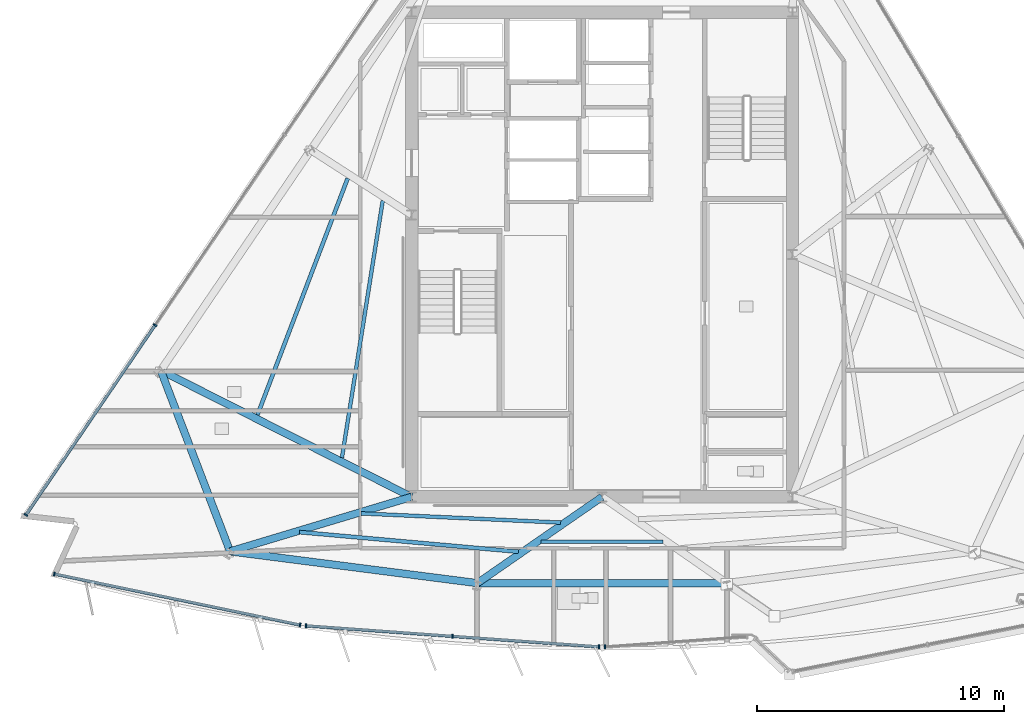
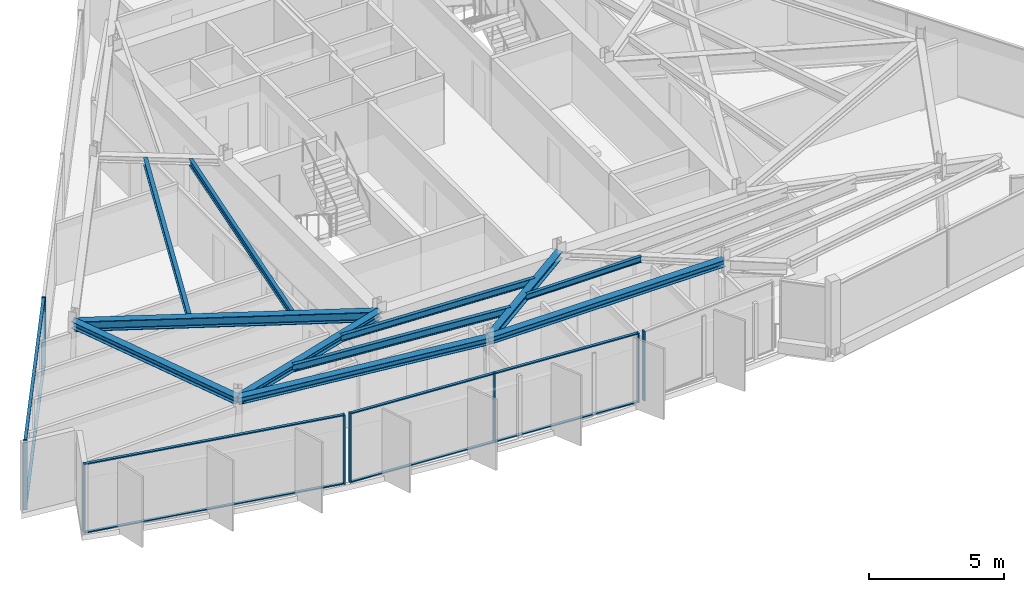
# One storey, part 2 of 13: 16 members, 11 beams, 4 elements without a shape of their own.
"""IFC4 building model written with IfcOpenShell, lengths in metres."""

from ifc_helpers import new_model, si_unit, direction, frame, origin, origin_2d, place, context, subcontext, project, spatial, rectangle, i_section, extrude, material, material_profile, profile_set, type_object, element, aggregate, save


model = new_model("IFC4")

# Units and contexts
model_context = context("Model", 3, precision=1e-05, world=origin(), true_north=direction((0.0, 1.0)))
body_context = subcontext(model_context, "Body", "Model", "MODEL_VIEW")
ifc_project = project(units=[si_unit("LENGTHUNIT", "METRE"), si_unit("AREAUNIT", "SQUARE_METRE"), si_unit("VOLUMEUNIT", "CUBIC_METRE"), si_unit("PLANEANGLEUNIT", "RADIAN"), si_unit("MASSUNIT", "GRAM", prefix="KILO")], contexts=[model_context])

# Site, building, storey
site_placement = place(None, origin())
site = spatial("IfcSite", under=ifc_project, at=site_placement, CompositionType="ELEMENT")
building_placement = place(site_placement, origin())
building = spatial("IfcBuilding", under=site, at=building_placement, Name="Savorim Split Tower", CompositionType="ELEMENT")
storey_placement = place(building_placement, frame((0.0, 0.0, 290.39990234375)))
storey = spatial("IfcBuildingStorey", under=building, at=storey_placement, Name="L77", CompositionType="ELEMENT", Elevation=290.39990234375)

# Beams
ifc_material_1 = material(Name="Steel S355", Category="steel")
ifc_material_profile_1 = material_profile(ifc_material_1, i_section(OverallWidth=0.135009765625, OverallDepth=0.27001953125, WebThickness=0.006591796875, FlangeThickness=0.01025390625, FilletRadius=0.014892578125, at=origin_2d()), Name="IPE 270")
ifc_profile_set_1 = profile_set([ifc_material_profile_1], Name="Steel S355")
beam_type_1 = type_object("IfcBeamType", Name="BM-JST-IPE270", PredefinedType="JOIST", material=ifc_profile_set_1)
beam_1_placement = place(storey_placement, frame((-2.460693359375, -11.21240234375, 3.01513671875), z_axis=(1.0, 0.0, 0.0), x_axis=(0.0, 1.0, 0.0)))
element("IfcBeam", 1, at=beam_1_placement, inside=storey, type_object=beam_type_1, Name="L77 Secondary Floor Joist JS-03", PredefinedType="JOIST", context=body_context, shape_type="SweptSolid", body=[
    extrude(i_section(OverallWidth=0.135009765625, OverallDepth=0.27001953125, WebThickness=0.006591796875, FlangeThickness=0.01025390625, FilletRadius=0.014892578125, at=origin_2d()), origin(), (0.0, 0.0, 1.0), 4.92138671875),
])
ifc_material_profile_2 = material_profile(ifc_material_1, i_section(OverallWidth=0.14990234375, OverallDepth=0.300048828125, WebThickness=0.007080078125, FlangeThickness=0.0107421875, FilletRadius=0.014892578125, at=origin_2d()), Name="IPE 300")
ifc_profile_set_2 = profile_set([ifc_material_profile_2], Name="Steel S355")
beam_type_2 = type_object("IfcBeamType", Name="BM-JST-IPE300", PredefinedType="JOIST", material=ifc_profile_set_2)
beam_2_placement = place(storey_placement, frame((-9.741455078125, -10.067626953125, 3.0), z_axis=(0.998947119239, -0.045876496854, 0.0), x_axis=(0.045876496854, 0.998947119239, 0.0)))
element("IfcBeam", 2, at=beam_2_placement, inside=storey, type_object=beam_type_2, Name="L77 Secondary Floor Joist JS-02", PredefinedType="JOIST", context=body_context, shape_type="SweptSolid", body=[
    extrude(i_section(OverallWidth=0.14990234375, OverallDepth=0.300048828125, WebThickness=0.007080078125, FlangeThickness=0.0107421875, FilletRadius=0.014892578125, at=origin_2d()), origin(), (0.0, 0.0, 1.0), 8.078369140625),
])
beam_3_placement = place(storey_placement, frame((-8.8662109375, 2.577392578125, 3.0), z_axis=(-0.156677698063, -0.987649785567, 0.0), x_axis=(0.987649785567, -0.156677698063, 0.0)))
element("IfcBeam", 3, at=beam_3_placement, inside=storey, type_object=beam_type_2, Name="L77 Secondary Floor Joist JS-11", PredefinedType="JOIST", context=body_context, shape_type="SweptSolid", body=[
    extrude(i_section(OverallWidth=0.14990234375, OverallDepth=0.300048828125, WebThickness=0.007080078125, FlangeThickness=0.0107421875, FilletRadius=0.014892578125, at=origin_2d()), origin(), (0.0, 0.0, 1.0), 10.51806640625),
])
ifc_material_profile_3 = material_profile(ifc_material_1, i_section(OverallWidth=0.159912109375, OverallDepth=0.330078125, WebThickness=0.007568359375, FlangeThickness=0.011474609375, FilletRadius=0.01806640625, at=origin_2d()), Name="IPE 330")
ifc_profile_set_3 = profile_set([ifc_material_profile_3], Name="Steel S355")
beam_type_3 = type_object("IfcBeamType", Name="BM-JST-IPE330", PredefinedType="JOIST", material=ifc_profile_set_3)
beam_4_placement = place(storey_placement, frame((-12.236328125, -10.8232421875, 2.985107421875), z_axis=(0.996011241322, -0.089227838477, 0.0), x_axis=(0.089227838477, 0.996011241322, 0.0)))
element("IfcBeam", 4, at=beam_4_placement, inside=storey, type_object=beam_type_3, Name="L77 Secondary Floor Joist JS-01", PredefinedType="JOIST", context=body_context, shape_type="SweptSolid", body=[
    extrude(i_section(OverallWidth=0.159912109375, OverallDepth=0.330078125, WebThickness=0.007568359375, FlangeThickness=0.011474609375, FilletRadius=0.01806640625, at=origin_2d()), origin(), (0.0, 0.0, 1.0), 8.886962890625),
])
beam_5_placement = place(storey_placement, frame((-10.28369140625, 3.47900390625, 2.985107421875), z_axis=(-0.35634753105, -0.934353486168, 0.0), x_axis=(0.934353486168, -0.35634753105, 0.0)))
element("IfcBeam", 5, at=beam_5_placement, inside=storey, type_object=beam_type_3, Name="L77 Secondary Floor Joist JS-10", PredefinedType="JOIST", context=body_context, shape_type="SweptSolid", body=[
    extrude(i_section(OverallWidth=0.159912109375, OverallDepth=0.330078125, WebThickness=0.007568359375, FlangeThickness=0.011474609375, FilletRadius=0.01806640625, at=origin_2d()), origin(), (0.0, 0.0, 1.0), 10.232177734375),
])
ifc_material_profile_4 = material_profile(ifc_material_1, i_section(OverallWidth=0.300048828125, OverallDepth=0.300048828125, WebThickness=0.010986328125, FlangeThickness=0.01904296875, FilletRadius=0.027099609375, at=origin_2d()), Name="HEB 300")
ifc_profile_set_4 = profile_set([ifc_material_profile_4], Name="Steel S355")
beam_type_4 = type_object("IfcBeamType", Name="BM-PRI-HEB300", PredefinedType="BEAM", material=ifc_profile_set_4)
beam_6_placement = place(storey_placement, frame((-15.037109375, -11.6015625, 3.0), z_axis=(0.957807862617, 0.287409287096, 0.0), x_axis=(-0.287409287096, 0.957807862617, 0.0)))
element("IfcBeam", 6, at=beam_6_placement, inside=storey, type_object=beam_type_4, Name="L77 Primary Floor Girder RG-01", PredefinedType="BEAM", context=body_context, shape_type="SweptSolid", body=[
    extrude(i_section(OverallWidth=0.300048828125, OverallDepth=0.300048828125, WebThickness=0.010986328125, FlangeThickness=0.01904296875, FilletRadius=0.027099609375, at=origin_2d()), origin(), (0.0, 0.0, 1.0), 7.660400390625),
])
beam_7_placement = place(storey_placement, frame((-5.039794921875, -12.885009765625, 3.0), z_axis=(0.82249616242, 0.568770659233, 0.0), x_axis=(-0.568770659233, 0.82249616242, 0.0)))
element("IfcBeam", 7, at=beam_7_placement, inside=storey, type_object=beam_type_4, Name="L77 Primary Floor Girder RG-02", PredefinedType="BEAM", context=body_context, shape_type="SweptSolid", body=[
    extrude(i_section(OverallWidth=0.300048828125, OverallDepth=0.300048828125, WebThickness=0.010986328125, FlangeThickness=0.01904296875, FilletRadius=0.027099609375, at=origin_2d()), origin(), (0.0, 0.0, 1.0), 6.12744140625),
])
ifc_material_profile_5 = material_profile(ifc_material_1, i_section(OverallWidth=0.300048828125, OverallDepth=0.449951171875, WebThickness=0.013916015625, FlangeThickness=0.02587890625, FilletRadius=0.027099609375, at=origin_2d()), Name="HEB 450")
ifc_profile_set_5 = profile_set([ifc_material_profile_5], Name="Steel S355")
beam_type_5 = type_object("IfcBeamType", Name="BM-PRI-HEB450", PredefinedType="BEAM", material=ifc_profile_set_5)
beam_8_placement = place(storey_placement, frame((-17.84033203125, -4.288818359375, 2.925048828125), z_axis=(0.892982084202, -0.450092209769, 0.0), x_axis=(0.450092209769, 0.892982084202, 0.0)))
element("IfcBeam", 8, at=beam_8_placement, inside=storey, type_object=beam_type_5, Name="L77 Primary Floor Girder RG-10", PredefinedType="BEAM", context=body_context, shape_type="SweptSolid", body=[
    extrude(i_section(OverallWidth=0.300048828125, OverallDepth=0.449951171875, WebThickness=0.013916015625, FlangeThickness=0.02587890625, FilletRadius=0.027099609375, at=origin_2d()), origin(), (0.0, 0.0, 1.0), 11.355712890625),
])
ifc_material_profile_6 = material_profile(ifc_material_1, i_section(OverallWidth=0.300048828125, OverallDepth=0.31005859375, WebThickness=0.009033203125, FlangeThickness=0.015380859375, FilletRadius=0.027099609375, at=origin_2d()), Name="HEA 320")
ifc_profile_set_6 = profile_set([ifc_material_profile_6], Name="Steel S355")
beam_type_6 = type_object("IfcBeamType", Name="BM-SPN-HEA320", PredefinedType="SPANDREL", material=ifc_profile_set_6)
beam_9_placement = place(storey_placement, frame((-15.037109375, -11.6015625, 2.9951171875), z_axis=(0.991859872424, -0.127334180306, 0.0), x_axis=(0.127334180306, 0.991859872424, 0.0)))
element("IfcBeam", 9, at=beam_9_placement, inside=storey, type_object=beam_type_6, Name="L77 Perimeter Spandrel Beam 1", PredefinedType="SPANDREL", context=body_context, shape_type="SweptSolid", body=[
    extrude(i_section(OverallWidth=0.300048828125, OverallDepth=0.31005859375, WebThickness=0.009033203125, FlangeThickness=0.015380859375, FilletRadius=0.027099609375, at=origin_2d()), origin(), (0.0, 0.0, 1.0), 10.079345703125),
])
beam_10_placement = place(storey_placement, frame((-5.039794921875, -12.885009765625, 2.9951171875), z_axis=(1.0, 0.0, 0.0), x_axis=(0.0, 1.0, 0.0)))
element("IfcBeam", 10, at=beam_10_placement, inside=storey, type_object=beam_type_6, Name="L77 Perimeter Spandrel Beam 2", PredefinedType="SPANDREL", context=body_context, shape_type="SweptSolid", body=[
    extrude(i_section(OverallWidth=0.300048828125, OverallDepth=0.31005859375, WebThickness=0.009033203125, FlangeThickness=0.015380859375, FilletRadius=0.027099609375, at=origin_2d()), origin(), (0.0, 0.0, 1.0), 10.07958984375),
])
beam_11_placement = place(storey_placement, frame((-17.84033203125, -4.288818359375, 2.9951171875), z_axis=(0.357936464629, -0.933745943653, 0.0), x_axis=(0.933745943653, 0.357936464629, 0.0)))
element("IfcBeam", 11, at=beam_11_placement, inside=storey, type_object=beam_type_6, Name="L77 Perimeter Spandrel Beam 10", PredefinedType="SPANDREL", context=body_context, shape_type="SweptSolid", body=[
    extrude(i_section(OverallWidth=0.300048828125, OverallDepth=0.31005859375, WebThickness=0.009033203125, FlangeThickness=0.015380859375, FilletRadius=0.027099609375, at=origin_2d()), origin(), (0.0, 0.0, 1.0), 7.83154296875),
])

# Curtain wall, members
ifc_material_2 = material(Name="Dark Ceramic-Fritted Insulated Glass", Category="glass")
curtain_wall_type = type_object("IfcCurtainWallType", Name="CW-TWR-FRIT-B", PredefinedType="NOTDEFINED", material=ifc_material_2)
curtain_wall_1_placement = place(storey_placement, origin())
curtain_wall_1 = element("IfcCurtainWall", 12, at=curtain_wall_1_placement, inside=storey, type_object=curtain_wall_type, Name="L77 Curtain Wall CW-L77-SF1A", PredefinedType="NOTDEFINED")
ifc_material_3 = material(Name="Charcoal Anodised Aluminium", Category="aluminium")
ifc_material_profile_7 = material_profile(ifc_material_3, rectangle(XDim=0.159912109375, YDim=0.06005859375, at=origin_2d()), Name="ALU-M 160x60")
ifc_profile_set_7 = profile_set([ifc_material_profile_7], Name="Charcoal Anodised Aluminium")
member_type_1 = type_object("IfcMemberType", Name="CWM-160x60", PredefinedType="MULLION", material=ifc_profile_set_7)
member_1_placement = place(storey_placement, frame((-22.142333984375, -12.514892578125, 0.0), z_axis=(0.0, 0.0, 1.0), x_axis=(0.203215038861, 0.979134131762, 0.0)))
member_1 = element("IfcMember", 13, at=member_1_placement, type_object=member_type_1, Name="CW-03 mullion 1", PredefinedType="MULLION", context=body_context, shape_type="SweptSolid", body=[
    extrude(rectangle(XDim=0.159912109375, YDim=0.06005859375, at=origin_2d()), origin(), (0.0, 0.0, 1.0), 3.150146484375),
])
member_2_placement = place(storey_placement, frame((-12.20849609375, -14.57666015625, 0.0), z_axis=(0.0, 0.0, 1.0), x_axis=(0.203215038861, 0.979134131762, 0.0)))
member_2 = element("IfcMember", 14, at=member_2_placement, type_object=member_type_1, Name="CW-03 mullion 2", PredefinedType="MULLION", context=body_context, shape_type="SweptSolid", body=[
    extrude(rectangle(XDim=0.159912109375, YDim=0.06005859375, at=origin_2d()), origin(), (0.0, 0.0, 1.0), 3.150146484375),
])

curtain_wall_2_placement = place(storey_placement, origin())
curtain_wall_2 = element("IfcCurtainWall", 15, at=curtain_wall_2_placement, inside=storey, type_object=curtain_wall_type, Name="L77 Curtain Wall CW-L77-SF2A", PredefinedType="NOTDEFINED")
member_3_placement = place(storey_placement, frame((-11.967529296875, -14.610107421875, 0.0), z_axis=(0.0, 0.0, 1.0), x_axis=(0.071560201608, 0.997436282449, 0.0)))
member_3 = element("IfcMember", 16, at=member_3_placement, type_object=member_type_1, Name="CW-03 mullion 1", PredefinedType="MULLION", context=body_context, shape_type="SweptSolid", body=[
    extrude(rectangle(XDim=0.159912109375, YDim=0.06005859375, at=origin_2d()), origin(), (0.0, 0.0, 1.0), 3.150146484375),
])
member_4_placement = place(storey_placement, frame((-6.044189453125, -15.03515625, 0.0), z_axis=(0.0, 0.0, 1.0), x_axis=(0.071560201608, 0.997436282449, 0.0)))
member_4 = element("IfcMember", 17, at=member_4_placement, type_object=member_type_1, Name="CW-03 mullion 2", PredefinedType="MULLION", context=body_context, shape_type="SweptSolid", body=[
    extrude(rectangle(XDim=0.159912109375, YDim=0.06005859375, at=origin_2d()), origin(), (0.0, 0.0, 1.0), 3.150146484375),
])
member_5_placement = place(storey_placement, frame((-0.12109375, -15.4599609375, 0.0), z_axis=(0.0, 0.0, 1.0), x_axis=(0.071560201608, 0.997436282449, 0.0)))
member_5 = element("IfcMember", 18, at=member_5_placement, type_object=member_type_1, Name="CW-03 mullion 3", PredefinedType="MULLION", context=body_context, shape_type="SweptSolid", body=[
    extrude(rectangle(XDim=0.159912109375, YDim=0.06005859375, at=origin_2d()), origin(), (0.0, 0.0, 1.0), 3.150146484375),
])

# Curtain wall, member
curtain_wall_3_placement = place(storey_placement, origin())
curtain_wall_3 = element("IfcCurtainWall", 19, at=curtain_wall_3_placement, inside=storey, type_object=curtain_wall_type, Name="L77 Curtain Wall CW-L77-SF3A", PredefinedType="NOTDEFINED")
member_6_placement = place(storey_placement, frame((0.12109375, -15.4599609375, 0.0), z_axis=(0.0, 0.0, 1.0), x_axis=(-0.071561606808, 0.997436181633, 0.0)))
member_6 = element("IfcMember", 20, at=member_6_placement, type_object=member_type_1, Name="CW-03 mullion 1", PredefinedType="MULLION", context=body_context, shape_type="SweptSolid", body=[
    extrude(rectangle(XDim=0.159912109375, YDim=0.06005859375, at=origin_2d()), origin(), (0.0, 0.0, 1.0), 3.150146484375),
])
aggregate(curtain_wall_3, [member_6])

# Curtain wall, members
curtain_wall_4_placement = place(storey_placement, origin())
curtain_wall_4 = element("IfcCurtainWall", 21, at=curtain_wall_4_placement, inside=storey, type_object=curtain_wall_type, Name="L77 Curtain Wall CW-L77-WEST", PredefinedType="NOTDEFINED")
member_7_placement = place(storey_placement, frame((-18.0693359375, -2.455078125, 0.0), z_axis=(0.0, 0.0, 1.0), x_axis=(0.826817636776, -0.562470084107, 0.0)))
member_7 = element("IfcMember", 22, at=member_7_placement, type_object=member_type_1, Name="CW-03 mullion 3", PredefinedType="MULLION", context=body_context, shape_type="SweptSolid", body=[
    extrude(rectangle(XDim=0.159912109375, YDim=0.06005859375, at=origin_2d()), origin(), (0.0, 0.0, 1.0), 3.150146484375),
])
member_8_placement = place(storey_placement, frame((-23.29052734375, -10.130126953125, 0.0), z_axis=(0.0, 0.0, 1.0), x_axis=(0.826817636776, -0.562470084107, 0.0)))
member_8 = element("IfcMember", 23, at=member_8_placement, type_object=member_type_1, Name="CW-03 mullion 4", PredefinedType="MULLION", context=body_context, shape_type="SweptSolid", body=[
    extrude(rectangle(XDim=0.159912109375, YDim=0.06005859375, at=origin_2d()), origin(), (0.0, 0.0, 1.0), 3.150146484375),
])

# Member
ifc_material_profile_8 = material_profile(ifc_material_3, rectangle(XDim=0.1201171875, YDim=0.050048828125, at=origin_2d()), Name="ALU-T 120x50")
ifc_profile_set_8 = profile_set([ifc_material_profile_8], Name="Charcoal Anodised Aluminium")
member_type_2 = type_object("IfcMemberType", Name="CWT-120x50", PredefinedType="USERDEFINED", material=ifc_profile_set_8)
member_9_placement = place(storey_placement, frame((-22.113037109375, -12.52099609375, 0.025146484375), z_axis=(0.9791332013, -0.203219521977, 0.0), x_axis=(0.203219521977, 0.9791332013, 0.0)))
member_9 = element("IfcMember", 24, at=member_9_placement, type_object=member_type_2, Name="CW-03 transom 1.1", ObjectType="TRANSOM", PredefinedType="USERDEFINED", context=body_context, shape_type="SweptSolid", body=[
    extrude(rectangle(XDim=0.1201171875, YDim=0.050048828125, at=origin_2d()), origin(), (0.0, 0.0, 1.0), 10.08544921875),
])

member_10_placement = place(storey_placement, frame((-22.113037109375, -12.52099609375, 3.125), z_axis=(0.9791332013, -0.203219521977, 0.0), x_axis=(0.203219521977, 0.9791332013, 0.0)))
member_10 = element("IfcMember", 25, at=member_10_placement, type_object=member_type_2, Name="CW-03 transom 1.2", ObjectType="TRANSOM", PredefinedType="USERDEFINED", context=body_context, shape_type="SweptSolid", body=[
    extrude(rectangle(XDim=0.1201171875, YDim=0.050048828125, at=origin_2d()), origin(), (0.0, 0.0, 1.0), 10.08544921875),
])

aggregate(curtain_wall_1, [member_1, member_2, member_9, member_10])

member_11_placement = place(storey_placement, frame((-11.9375, -14.6123046875, 0.025146484375), z_axis=(0.997436303512, -0.071559908018, 0.0), x_axis=(0.071559908018, 0.997436303512, 0.0)))
member_11 = element("IfcMember", 26, at=member_11_placement, type_object=member_type_2, Name="CW-03 transom 1.1", ObjectType="TRANSOM", PredefinedType="USERDEFINED", context=body_context, shape_type="SweptSolid", body=[
    extrude(rectangle(XDim=0.1201171875, YDim=0.050048828125, at=origin_2d()), origin(), (0.0, 0.0, 1.0), 5.87841796875),
])

member_12_placement = place(storey_placement, frame((-11.9375, -14.6123046875, 3.125), z_axis=(0.997436303512, -0.071559908018, 0.0), x_axis=(0.071559908018, 0.997436303512, 0.0)))
member_12 = element("IfcMember", 27, at=member_12_placement, type_object=member_type_2, Name="CW-03 transom 1.2", ObjectType="TRANSOM", PredefinedType="USERDEFINED", context=body_context, shape_type="SweptSolid", body=[
    extrude(rectangle(XDim=0.1201171875, YDim=0.050048828125, at=origin_2d()), origin(), (0.0, 0.0, 1.0), 5.87841796875),
])

member_13_placement = place(storey_placement, frame((-6.014404296875, -15.037353515625, 0.025146484375), z_axis=(0.997436303512, -0.071559908018, 0.0), x_axis=(0.071559908018, 0.997436303512, 0.0)))
member_13 = element("IfcMember", 28, at=member_13_placement, type_object=member_type_2, Name="CW-03 transom 2.1", ObjectType="TRANSOM", PredefinedType="USERDEFINED", context=body_context, shape_type="SweptSolid", body=[
    extrude(rectangle(XDim=0.1201171875, YDim=0.050048828125, at=origin_2d()), origin(), (0.0, 0.0, 1.0), 5.87841796875),
])

member_14_placement = place(storey_placement, frame((-6.014404296875, -15.037353515625, 3.125), z_axis=(0.997436303512, -0.071559908018, 0.0), x_axis=(0.071559908018, 0.997436303512, 0.0)))
member_14 = element("IfcMember", 29, at=member_14_placement, type_object=member_type_2, Name="CW-03 transom 2.2", ObjectType="TRANSOM", PredefinedType="USERDEFINED", context=body_context, shape_type="SweptSolid", body=[
    extrude(rectangle(XDim=0.1201171875, YDim=0.050048828125, at=origin_2d()), origin(), (0.0, 0.0, 1.0), 5.87841796875),
])

aggregate(curtain_wall_2, [member_3, member_4, member_5, member_11, member_12, member_13, member_14])

member_15_placement = place(storey_placement, frame((-18.08642578125, -2.47998046875, 0.025146484375), z_axis=(-0.562452655361, -0.826829492989, 0.0), x_axis=(0.826829492989, -0.562452655361, 0.0)))
member_15 = element("IfcMember", 30, at=member_15_placement, type_object=member_type_2, Name="CW-03 transom 3.1", ObjectType="TRANSOM", PredefinedType="USERDEFINED", context=body_context, shape_type="SweptSolid", body=[
    extrude(rectangle(XDim=0.1201171875, YDim=0.050048828125, at=origin_2d()), origin(), (0.0, 0.0, 1.0), 9.22265625),
])

member_16_placement = place(storey_placement, frame((-18.08642578125, -2.47998046875, 3.125), z_axis=(-0.562452655361, -0.826829492989, 0.0), x_axis=(0.826829492989, -0.562452655361, 0.0)))
member_16 = element("IfcMember", 31, at=member_16_placement, type_object=member_type_2, Name="CW-03 transom 3.2", ObjectType="TRANSOM", PredefinedType="USERDEFINED", context=body_context, shape_type="SweptSolid", body=[
    extrude(rectangle(XDim=0.1201171875, YDim=0.050048828125, at=origin_2d()), origin(), (0.0, 0.0, 1.0), 9.22265625),
])

aggregate(curtain_wall_4, [member_7, member_8, member_15, member_16])

save(model, "model.ifc")
